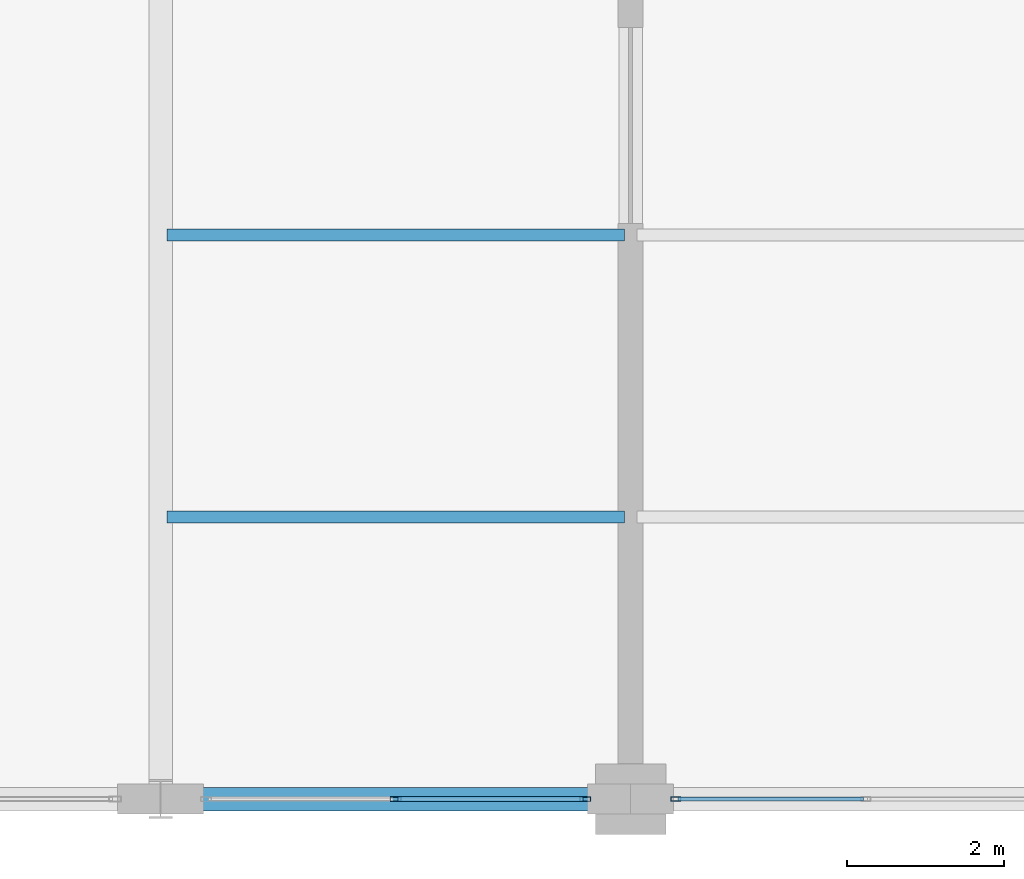
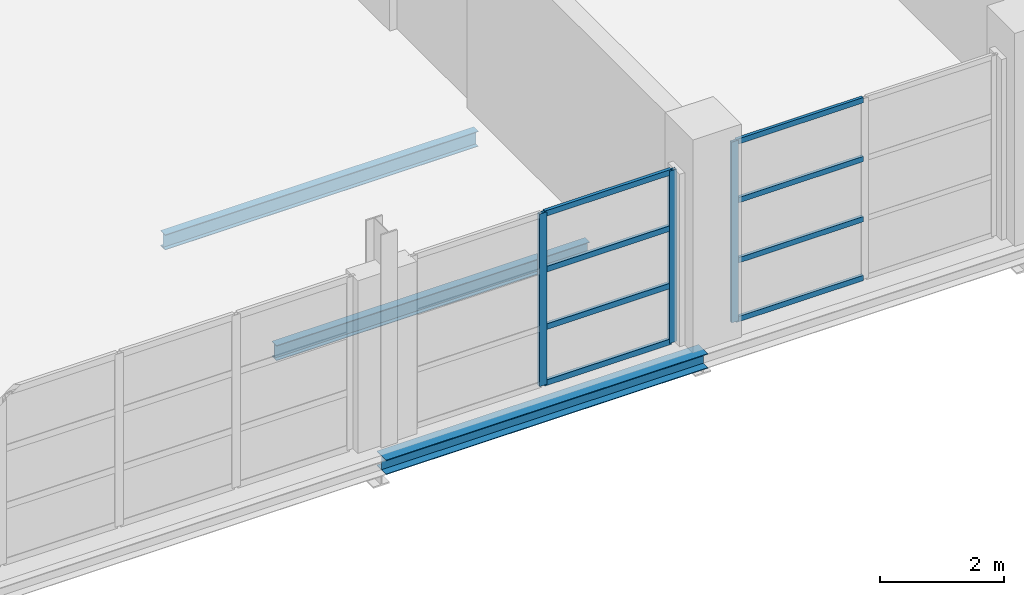
# One storey, part 40 of 158: 11 members, 3 beams, 2 elements without a shape of their own.
"""IFC4 building model written with IfcOpenShell, lengths in metres."""

import ifcopenshell
import ifcopenshell.guid

model = None  # the IFC model being written
_history = None  # IfcOwnerHistory: only IFC2X3 demands one
_inside = {}  # id of a spatial element -> (the spatial element, [elements in it])
_under = {}  # id of a project, library or spatial element -> (it, [spatial elements below it])
_declared = {}  # id of a project -> (the project, [libraries it declares])
_typed = {}  # id of a type object -> (the type object, [elements of that type])
_made_of = {}  # id of a material, layer set ... -> (it, [elements and type objects made of it])


def new_model(schema):
    """Start an empty IFC model of exactly this schema.

    Asked for "IFC4X3", IfcOpenShell would pick the latest addendum, in which some entities
    have other attributes; the version numbers below select the first issue.
    IFC2X3 requires an IfcOwnerHistory on every rooted entity: one is made here for all.
    """
    global model, _history
    if schema == "IFC4X3":
        model = ifcopenshell.file(schema_version=(4, 3, 0, 0))
    else:
        model = ifcopenshell.file(schema=schema)
    _inside.clear()
    _under.clear()
    _declared.clear()
    _typed.clear()
    _made_of.clear()
    _history = None
    if model.schema == "IFC2X3":
        org = make("IfcOrganization", Name="unknown")
        user = make(
            "IfcPersonAndOrganization",
            ThePerson=make("IfcPerson", FamilyName="unknown"),
            TheOrganization=org,
        )
        app = make(
            "IfcApplication",
            ApplicationDeveloper=org,
            Version="unknown",
            ApplicationFullName="unknown",
            ApplicationIdentifier="unknown",
        )
        _history = make(
            "IfcOwnerHistory",
            OwningUser=user,
            OwningApplication=app,
            ChangeAction="ADDED",
            CreationDate=0,
        )
    return model


def make(cls, **values):
    """One entity of the class cls with the attributes given. An attribute that is None is left unset."""
    return model.create_entity(
        cls, **{name: value for name, value in values.items() if value is not None}
    )


def rooted(cls, **values):
    """An entity with a GlobalId (a new one), such as an element, a storey or a relation."""
    return make(cls, GlobalId=ifcopenshell.guid.new(), OwnerHistory=_history, **values)


def si_unit(unit_type, name, prefix=None):
    """IfcSIUnit, for example si_unit("LENGTHUNIT", "METRE", prefix="MILLI")."""
    return make("IfcSIUnit", UnitType=unit_type, Prefix=prefix, Name=name)


def assignment(units):
    """IfcUnitAssignment: the units of a project."""
    return None if units is None else make("IfcUnitAssignment", Units=units)


def point(xyz):
    """IfcCartesianPoint."""
    return None if xyz is None else make("IfcCartesianPoint", Coordinates=xyz)


def direction(xyz):
    """IfcDirection."""
    return None if xyz is None else make("IfcDirection", DirectionRatios=xyz)


def frame(location, z_axis=None, x_axis=None):
    """IfcAxis2Placement3D, a coordinate frame: its origin and axes. An axis left out is left unset."""
    return make(
        "IfcAxis2Placement3D",
        Location=point(location),
        Axis=direction(z_axis),
        RefDirection=direction(x_axis),
    )


def frame_2d(location, x_axis=None):
    """IfcAxis2Placement2D, a coordinate frame in the plane: its origin and x axis."""
    return make(
        "IfcAxis2Placement2D", Location=point(location), RefDirection=direction(x_axis)
    )


def origin():
    """The frame at (0, 0, 0) with its axes left unset."""
    return frame((0.0, 0.0, 0.0))


def origin_2d():
    """The frame at (0, 0) in the plane with its x axis left unset."""
    return frame_2d((0.0, 0.0))


def place(relative_to, where):
    """IfcLocalPlacement: puts the frame where relative to a parent placement (None: the world)."""
    return make(
        "IfcLocalPlacement", PlacementRelTo=relative_to, RelativePlacement=where
    )


def context(
    kind, dimensions, precision=None, world=None, true_north=None, identifier=None
):
    """IfcGeometricRepresentationContext, for example the 3D "Model" context."""
    return make(
        "IfcGeometricRepresentationContext",
        ContextIdentifier=identifier,
        ContextType=kind,
        CoordinateSpaceDimension=dimensions,
        Precision=precision,
        WorldCoordinateSystem=world,
        TrueNorth=true_north,
    )


def subcontext(parent, identifier, kind, view, scale=None):
    """IfcGeometricRepresentationSubContext, for example "Body" below "Model"."""
    return make(
        "IfcGeometricRepresentationSubContext",
        ContextIdentifier=identifier,
        ContextType=kind,
        ParentContext=parent,
        TargetScale=scale,
        TargetView=view,
    )


def project(units=None, contexts=None):
    """IfcProject with its units and contexts."""
    return rooted(
        "IfcProject",
        Name="project",
        RepresentationContexts=contexts,
        UnitsInContext=assignment(units),
    )


def spatial(cls, under=None, at=None, **own):
    """A site, building, storey or space (cls), placed at a placement, below another one or the project."""
    s = rooted(cls, ObjectPlacement=at, **own)
    if under is not None:
        _under.setdefault(under.id(), (under, []))[1].append(s)
    return s


def profile(cls, at=None, kind="AREA", **sizes):
    """A parametric profile (cls). Its sizes go by their IFC names, for example OverallWidth=200.0."""
    return make(cls, ProfileType=kind, Position=at, **sizes)


def hollow_rectangle(**sizes):
    """IfcRectangleHollowProfileDef."""
    return profile("IfcRectangleHollowProfileDef", **sizes)


def i_section(**sizes):
    """IfcIShapeProfileDef."""
    return profile("IfcIShapeProfileDef", **sizes)


def extrude(swept, where, along, depth):
    """IfcExtrudedAreaSolid: the profile swept, set in the frame where, extruded along a direction by depth."""
    return make(
        "IfcExtrudedAreaSolid",
        SweptArea=swept,
        Position=where,
        ExtrudedDirection=direction(along),
        Depth=depth,
    )


def shape(context_of_items, identifier, shape_type, items):
    """IfcShapeRepresentation: the items that make up one representation, for example the "Body"."""
    return make(
        "IfcShapeRepresentation",
        ContextOfItems=context_of_items,
        RepresentationIdentifier=identifier,
        RepresentationType=shape_type,
        Items=items,
    )


def material(Name=None, Category=None):
    """IfcMaterial."""
    return make("IfcMaterial", Name=Name, Category=Category)


def layer(
    of_material, thickness, ventilated=None, Name=None, Category=None, Priority=None
):
    """IfcMaterialLayer: one layer of a wall or slab, of a material (None: an air gap)."""
    return make(
        "IfcMaterialLayer",
        Material=of_material,
        LayerThickness=thickness,
        IsVentilated=ventilated,
        Name=Name,
        Category=Category,
        Priority=Priority,
    )


def layer_set(layers, Name=None):
    """IfcMaterialLayerSet."""
    return make("IfcMaterialLayerSet", MaterialLayers=layers, LayerSetName=Name)


def material_profile(
    of_material, cross_section, Name=None, Category=None, Priority=None
):
    """IfcMaterialProfile: a cross section and its material."""
    return make(
        "IfcMaterialProfile",
        Name=Name,
        Material=of_material,
        Profile=cross_section,
        Priority=Priority,
        Category=Category,
    )


def profile_set(profiles, Name=None, composite=None):
    """IfcMaterialProfileSet."""
    return make(
        "IfcMaterialProfileSet",
        Name=Name,
        MaterialProfiles=profiles,
        CompositeProfile=composite,
    )


def made_of(thing, what):
    """Note that an element or type object is made of a material, layer set ...; save() writes the relation."""
    if what is not None:
        _made_of.setdefault(what.id(), (what, []))[1].append(thing)
    return thing


def type_object(cls, material=None, **own):
    """A type object (cls), such as IfcWallType, which elements share."""
    return made_of(rooted(cls, **own), material)


def element(
    cls,
    number,
    at=None,
    inside=None,
    cuts=None,
    type_object=None,
    material=None,
    context=None,
    identifier="Body",
    shape_type=None,
    held_by="IfcProductDefinitionShape",
    body=None,
    shapes=None,
    **own,
):
    """One element of the class cls, such as IfcWall. Its Tag is "e" and its number.

    at: its placement. inside: the storey or other place that contains it. cuts: it is an
    opening in that element (IfcRelVoidsElement). A single representation is given by context,
    identifier, shape_type and body (its items); several are given by shapes. held_by: the class
    of the entity that holds the representations. save() writes the other relations.
    """
    e = rooted(cls, Tag="e%d" % number, ObjectPlacement=at, **own)
    if body is not None:
        shapes = [shape(context, identifier, shape_type, body)]
    if shapes is not None:
        e.Representation = make(held_by, Representations=shapes)
    if inside is not None:
        _inside.setdefault(inside.id(), (inside, []))[1].append(e)
    if cuts is not None:
        rooted(
            "IfcRelVoidsElement", RelatingBuildingElement=cuts, RelatedOpeningElement=e
        )
    if type_object is not None:
        _typed.setdefault(type_object.id(), (type_object, []))[1].append(e)
    return made_of(e, material)


def aggregate(whole, parts):
    """IfcRelAggregates: a whole, such as a stair, and the parts it consists of."""
    return rooted("IfcRelAggregates", RelatingObject=whole, RelatedObjects=parts)


def save(model, path):
    """Write the relations noted so far, then the file.

    IfcRelAggregates (storeys below a building ...), IfcRelContainedInSpatialStructure (elements
    in a storey), IfcRelDefinesByType, IfcRelAssociatesMaterial and IfcRelDeclares: one each for
    every whole, place, type object, material and project.
    """
    for whole, parts in _under.values():
        aggregate(whole, parts)
    for where, things in _inside.values():
        rooted(
            "IfcRelContainedInSpatialStructure",
            RelatedElements=things,
            RelatingStructure=where,
        )
    for kind, things in _typed.values():
        rooted("IfcRelDefinesByType", RelatedObjects=things, RelatingType=kind)
    for what, things in _made_of.values():
        rooted("IfcRelAssociatesMaterial", RelatedObjects=things, RelatingMaterial=what)
    for by, libraries in _declared.values():
        rooted("IfcRelDeclares", RelatingContext=by, RelatedDefinitions=libraries)
    model.write(path)


model = new_model("IFC4")

# Units and contexts
model_context = context("Model", 3, precision=1e-05, world=origin(), true_north=direction((0.0, 1.0)))
body_context = subcontext(model_context, "Body", "Model", "MODEL_VIEW")
ifc_project = project(units=[si_unit("LENGTHUNIT", "METRE"), si_unit("AREAUNIT", "SQUARE_METRE"), si_unit("VOLUMEUNIT", "CUBIC_METRE"), si_unit("PLANEANGLEUNIT", "RADIAN"), si_unit("MASSUNIT", "GRAM", prefix="KILO")], contexts=[model_context])

# Site, building, storey
site_placement = place(None, origin())
site = spatial("IfcSite", under=ifc_project, at=site_placement, CompositionType="ELEMENT")
building_placement = place(site_placement, origin())
building = spatial("IfcBuilding", under=site, at=building_placement, Name="Zilviju Railside Exhibition Hall", CompositionType="ELEMENT")
storey_placement = place(building_placement, frame((0.0, 0.0, 4.199951171875)))
storey = spatial("IfcBuildingStorey", under=building, at=storey_placement, Name="L02", CompositionType="ELEMENT", Elevation=4.199951171875)

# Beams
ifc_material_1 = material(Name="Steel S355J2", Category="steel")
ifc_material_profile_1 = material_profile(ifc_material_1, i_section(OverallWidth=0.300048828125, OverallDepth=0.2900390625, WebThickness=0.008544921875, FlangeThickness=0.013916015625, at=origin_2d()), Name="HEA 300")
ifc_profile_set_1 = profile_set([ifc_material_profile_1], Name="Steel S355J2")
beam_type_1 = type_object("IfcBeamType", Name="BM-HEA300", PredefinedType="SPANDREL", material=ifc_profile_set_1)
beam_placement = place(storey_placement, frame((72.0, 0.0, -0.494873046875), z_axis=(1.0, 0.0, 0.0), x_axis=(0.0, 1.0, 0.0)))
element("IfcBeam", 1, at=beam_placement, inside=storey, type_object=beam_type_1, Name="Primary Girder L02 Y=0.0 (72.0..78.0)", PredefinedType="SPANDREL", context=body_context, shape_type="SweptSolid", body=[
    extrude(i_section(OverallWidth=0.300048828125, OverallDepth=0.2900390625, WebThickness=0.008544921875, FlangeThickness=0.013916015625, at=origin_2d()), origin(), (0.0, 0.0, 1.0), 6.0),
])
ifc_material_profile_2 = material_profile(ifc_material_1, i_section(OverallWidth=0.14990234375, OverallDepth=0.300048828125, WebThickness=0.007080078125, FlangeThickness=0.0107421875, at=origin_2d()), Name="IPE 300")
ifc_profile_set_2 = profile_set([ifc_material_profile_2], Name="Steel S355J2")
beam_type_2 = type_object("IfcBeamType", Name="BM-IPE300", PredefinedType="JOIST", material=ifc_profile_set_2)
for number, where, z_axis, x_axis, name in (
    (2, (72.080078125, 3.60009765625, -0.5), (1.0, 0.0, 0.0), (0.0, 1.0, 0.0), "Composite Floor Joist L02 Y=3.60 (72.0..78.0)"),
    (3, (72.080078125, 7.199951171875, -0.5), (1.0, 0.0, 0.0), (0.0, 1.0, 0.0), "Composite Floor Joist L02 Y=7.20 (72.0..78.0)"),
):
    element("IfcBeam", number, at=place(storey_placement, frame(where, z_axis=z_axis, x_axis=x_axis)), inside=storey, type_object=beam_type_2, Name=name, PredefinedType="JOIST", context=body_context, shape_type="SweptSolid", body=[
        extrude(i_section(OverallWidth=0.14990234375, OverallDepth=0.300048828125, WebThickness=0.007080078125, FlangeThickness=0.0107421875, at=origin_2d()), origin(), (0.0, 0.0, 1.0), 5.83984375),
    ])

# Curtain wall, member
ifc_material_2 = material(Name="Thermally broken aluminium-steel triple-glazed curtain wall", Category="steel")
ifc_layer_1 = layer(ifc_material_2, 0.179931640625)
ifc_layer_set_1 = layer_set([ifc_layer_1], Name="Thermally broken aluminium-steel triple-glazed curtain wall")
curtain_wall_type_1 = type_object("IfcCurtainWallType", Name="CW-BAY-06", PredefinedType="USERDEFINED", material=ifc_layer_set_1)
curtain_wall_1_placement = place(storey_placement, origin())
curtain_wall_1 = element("IfcCurtainWall", 4, at=curtain_wall_1_placement, inside=storey, type_object=curtain_wall_type_1, Name="South Hall Facade Curtain Wall L02 (78..84)", ObjectType="GLAZED CURTAIN WALL", PredefinedType="USERDEFINED")
ifc_material_3 = material(Name="Thermally broken anodized aluminium mullion", Category="aluminium")
ifc_material_profile_3 = material_profile(ifc_material_3, hollow_rectangle(XDim=0.054931640625, YDim=0.1298828125, WallThickness=0.0048828125, at=origin_2d()), Name="MULLION 130x55x5")
ifc_profile_set_3 = profile_set([ifc_material_profile_3], Name="Thermally broken anodized aluminium mullion")
member_type_1 = type_object("IfcMemberType", Name="CWM-55x130", PredefinedType="MULLION", material=ifc_profile_set_3)
member_1_placement = place(storey_placement, frame((78.577392578125, 0.0, 0.0), z_axis=(0.0, 0.0, 1.0), x_axis=(0.0, -1.0, 0.0)))
member_1 = element("IfcMember", 5, at=member_1_placement, type_object=member_type_1, Name="CW-06 mullion 3", PredefinedType="MULLION", context=body_context, shape_type="SweptSolid", body=[
    extrude(hollow_rectangle(XDim=0.054931640625, YDim=0.1298828125, WallThickness=0.0048828125, at=origin_2d()), origin(), (0.0, 0.0, 1.0), 3.56005859375),
])

# Curtain wall, members
ifc_layer_2 = layer(ifc_material_2, 0.179931640625)
ifc_layer_set_2 = layer_set([ifc_layer_2], Name="Thermally broken aluminium-steel triple-glazed curtain wall")
curtain_wall_type_2 = type_object("IfcCurtainWallType", Name="CW-BAY-13", PredefinedType="USERDEFINED", material=ifc_layer_set_2)
curtain_wall_2_placement = place(storey_placement, origin())
curtain_wall_2 = element("IfcCurtainWall", 6, at=curtain_wall_2_placement, inside=storey, type_object=curtain_wall_type_2, Name="Winter Concourse South Upper Curtain Wall (72..78)", ObjectType="GLAZED CURTAIN WALL", PredefinedType="USERDEFINED")
ifc_material_profile_4 = material_profile(ifc_material_3, hollow_rectangle(XDim=0.06005859375, YDim=0.139892578125, WallThickness=0.0048828125, at=origin_2d()), Name="MULLION 140x60x5")
ifc_profile_set_4 = profile_set([ifc_material_profile_4], Name="Thermally broken anodized aluminium mullion")
member_type_2 = type_object("IfcMemberType", Name="CWM-60x140", PredefinedType="MULLION", material=ifc_profile_set_4)
member_2_placement = place(storey_placement, frame((77.419921875, 0.0, 0.0), z_axis=(0.0, 0.0, 1.0), x_axis=(0.0, -1.0, 0.0)))
member_2 = element("IfcMember", 7, at=member_2_placement, type_object=member_type_2, Name="CW-13 mullion 1", PredefinedType="MULLION", context=body_context, shape_type="SweptSolid", body=[
    extrude(hollow_rectangle(XDim=0.06005859375, YDim=0.139892578125, WallThickness=0.0048828125, at=origin_2d()), origin(), (0.0, 0.0, 1.0), 3.400146484375),
])
member_3_placement = place(storey_placement, frame((75.0, 0.0, 0.0), z_axis=(0.0, 0.0, 1.0), x_axis=(0.0, -1.0, 0.0)))
member_3 = element("IfcMember", 8, at=member_3_placement, type_object=member_type_2, Name="CW-13 mullion 2", PredefinedType="MULLION", context=body_context, shape_type="SweptSolid", body=[
    extrude(hollow_rectangle(XDim=0.06005859375, YDim=0.139892578125, WallThickness=0.0048828125, at=origin_2d()), origin(), (0.0, 0.0, 1.0), 3.400146484375),
])

# Member
ifc_material_4 = material(Name="Thermally broken anodized aluminium transom", Category="aluminium")
ifc_material_profile_5 = material_profile(ifc_material_4, hollow_rectangle(XDim=0.054931640625, YDim=0.10498046875, WallThickness=0.0048828125, at=origin_2d()), Name="TRANSOM 105x55x5")
ifc_profile_set_5 = profile_set([ifc_material_profile_5], Name="Thermally broken anodized aluminium transom")
member_type_3 = type_object("IfcMemberType", Name="CWT-55x105", PredefinedType="USERDEFINED", material=ifc_profile_set_5)
member_4_placement = place(storey_placement, frame((80.972412109375, 0.0, 0.027587890625), z_axis=(-1.0, 0.0, 0.0), x_axis=(0.0, -1.0, 0.0)))
member_4 = element("IfcMember", 9, at=member_4_placement, type_object=member_type_3, Name="CW-06 transom 2.1", ObjectType="TRANSOM", PredefinedType="USERDEFINED", context=body_context, shape_type="SweptSolid", body=[
    extrude(hollow_rectangle(XDim=0.054931640625, YDim=0.10498046875, WallThickness=0.0048828125, at=origin_2d()), origin(), (0.0, 0.0, 1.0), 2.367431640625),
])

member_5_placement = place(storey_placement, frame((80.972412109375, 0.0, 1.18701171875), z_axis=(-1.0, 0.0, 0.0), x_axis=(0.0, -1.0, 0.0)))
member_5 = element("IfcMember", 10, at=member_5_placement, type_object=member_type_3, Name="CW-06 transom 2.2", ObjectType="TRANSOM", PredefinedType="USERDEFINED", context=body_context, shape_type="SweptSolid", body=[
    extrude(hollow_rectangle(XDim=0.054931640625, YDim=0.10498046875, WallThickness=0.0048828125, at=origin_2d()), origin(), (0.0, 0.0, 1.0), 2.367431640625),
])

member_6_placement = place(storey_placement, frame((80.972412109375, 0.0, 2.373046875), z_axis=(-1.0, 0.0, 0.0), x_axis=(0.0, -1.0, 0.0)))
member_6 = element("IfcMember", 11, at=member_6_placement, type_object=member_type_3, Name="CW-06 transom 2.3", ObjectType="TRANSOM", PredefinedType="USERDEFINED", context=body_context, shape_type="SweptSolid", body=[
    extrude(hollow_rectangle(XDim=0.054931640625, YDim=0.10498046875, WallThickness=0.0048828125, at=origin_2d()), origin(), (0.0, 0.0, 1.0), 2.367431640625),
])

member_7_placement = place(storey_placement, frame((80.972412109375, 0.0, 3.532470703125), z_axis=(-1.0, 0.0, 0.0), x_axis=(0.0, -1.0, 0.0)))
member_7 = element("IfcMember", 12, at=member_7_placement, type_object=member_type_3, Name="CW-06 transom 2.4", ObjectType="TRANSOM", PredefinedType="USERDEFINED", context=body_context, shape_type="SweptSolid", body=[
    extrude(hollow_rectangle(XDim=0.054931640625, YDim=0.10498046875, WallThickness=0.0048828125, at=origin_2d()), origin(), (0.0, 0.0, 1.0), 2.367431640625),
])

aggregate(curtain_wall_1, [member_1, member_4, member_5, member_6, member_7])

ifc_material_profile_6 = material_profile(ifc_material_4, hollow_rectangle(XDim=0.06005859375, YDim=0.110107421875, WallThickness=0.0048828125, at=origin_2d()), Name="TRANSOM 110x60x5")
ifc_profile_set_6 = profile_set([ifc_material_profile_6], Name="Thermally broken anodized aluminium transom")
member_type_4 = type_object("IfcMemberType", Name="CWT-60x110", PredefinedType="USERDEFINED", material=ifc_profile_set_6)
member_8_placement = place(storey_placement, frame((77.389892578125, 0.0, 0.030029296875), z_axis=(-1.0, 0.0, 0.0), x_axis=(0.0, -1.0, 0.0)))
member_8 = element("IfcMember", 13, at=member_8_placement, type_object=member_type_4, Name="CW-13 transom 1.1", ObjectType="TRANSOM", PredefinedType="USERDEFINED", context=body_context, shape_type="SweptSolid", body=[
    extrude(hollow_rectangle(XDim=0.06005859375, YDim=0.110107421875, WallThickness=0.0048828125, at=origin_2d()), origin(), (0.0, 0.0, 1.0), 2.35986328125),
])

member_9_placement = place(storey_placement, frame((77.389892578125, 0.0, 1.133056640625), z_axis=(-1.0, 0.0, 0.0), x_axis=(0.0, -1.0, 0.0)))
member_9 = element("IfcMember", 14, at=member_9_placement, type_object=member_type_4, Name="CW-13 transom 1.2", ObjectType="TRANSOM", PredefinedType="USERDEFINED", context=body_context, shape_type="SweptSolid", body=[
    extrude(hollow_rectangle(XDim=0.06005859375, YDim=0.110107421875, WallThickness=0.0048828125, at=origin_2d()), origin(), (0.0, 0.0, 1.0), 2.35986328125),
])

member_10_placement = place(storey_placement, frame((77.389892578125, 0.0, 2.26708984375), z_axis=(-1.0, 0.0, 0.0), x_axis=(0.0, -1.0, 0.0)))
member_10 = element("IfcMember", 15, at=member_10_placement, type_object=member_type_4, Name="CW-13 transom 1.3", ObjectType="TRANSOM", PredefinedType="USERDEFINED", context=body_context, shape_type="SweptSolid", body=[
    extrude(hollow_rectangle(XDim=0.06005859375, YDim=0.110107421875, WallThickness=0.0048828125, at=origin_2d()), origin(), (0.0, 0.0, 1.0), 2.35986328125),
])

member_11_placement = place(storey_placement, frame((77.389892578125, 0.0, 3.3701171875), z_axis=(-1.0, 0.0, 0.0), x_axis=(0.0, -1.0, 0.0)))
member_11 = element("IfcMember", 16, at=member_11_placement, type_object=member_type_4, Name="CW-13 transom 1.4", ObjectType="TRANSOM", PredefinedType="USERDEFINED", context=body_context, shape_type="SweptSolid", body=[
    extrude(hollow_rectangle(XDim=0.06005859375, YDim=0.110107421875, WallThickness=0.0048828125, at=origin_2d()), origin(), (0.0, 0.0, 1.0), 2.35986328125),
])

aggregate(curtain_wall_2, [member_2, member_3, member_8, member_9, member_10, member_11])

save(model, "model.ifc")
